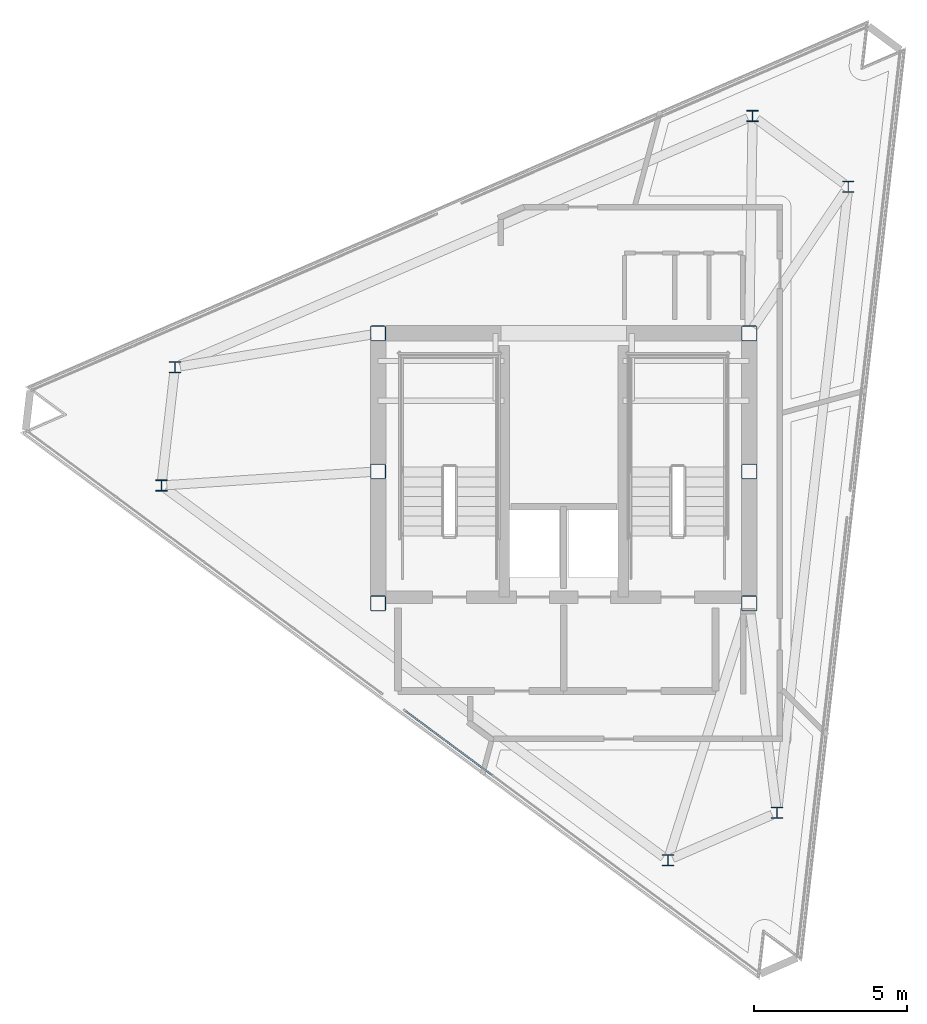
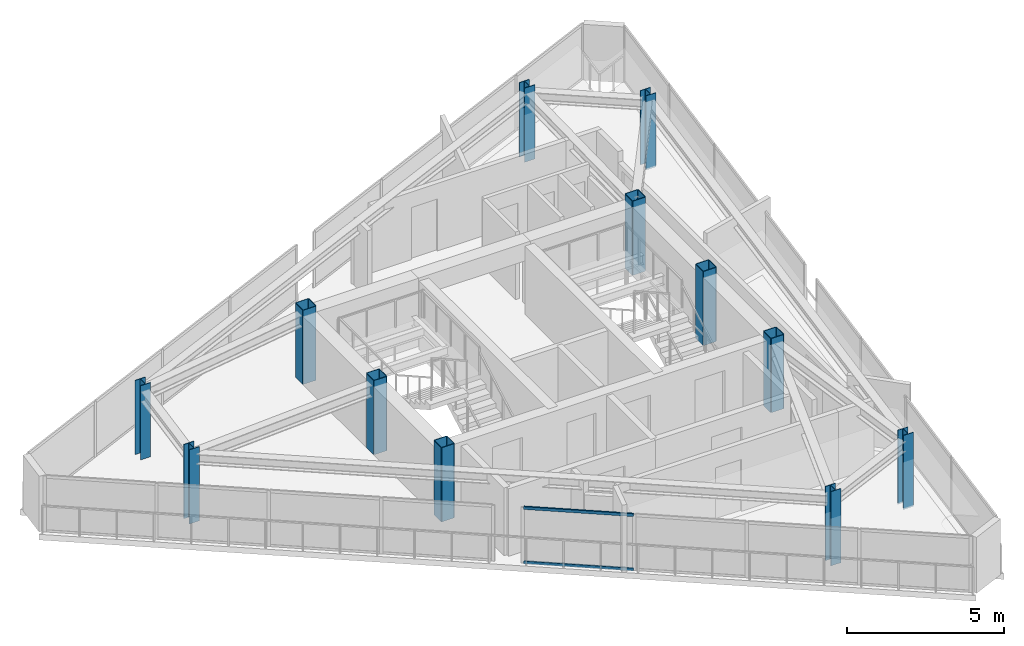
# One storey, part 1 of 9: 12 columns, 2 members, 1 element without a shape of its own.
"""IFC4 building model written with IfcOpenShell, lengths in metres."""

from ifc_helpers import new_model, si_unit, direction, frame, origin, origin_2d, place, context, subcontext, project, spatial, rectangle, hollow_rectangle, i_section, extrude, material, layer, layer_set, material_profile, profile_set, type_object, element, aggregate, save


model = new_model("IFC4")

# Units and contexts
model_context = context("Model", 3, precision=1e-05, world=origin(), true_north=direction((0.0, 1.0)))
body_context = subcontext(model_context, "Body", "Model", "MODEL_VIEW")
ifc_project = project(units=[si_unit("LENGTHUNIT", "METRE"), si_unit("AREAUNIT", "SQUARE_METRE"), si_unit("VOLUMEUNIT", "CUBIC_METRE"), si_unit("PLANEANGLEUNIT", "RADIAN"), si_unit("MASSUNIT", "GRAM", prefix="KILO")], contexts=[model_context])

# Site, building, storey
site_placement = place(None, origin())
site = spatial("IfcSite", under=ifc_project, at=site_placement, CompositionType="ELEMENT")
building_placement = place(site_placement, origin())
building = spatial("IfcBuilding", under=site, at=building_placement, Name="Rocaltana Carrier Exchange", CompositionType="ELEMENT")
storey_placement = place(building_placement, frame((0.0, 0.0, 246.239990234375)))
storey = spatial("IfcBuildingStorey", under=building, at=storey_placement, Name="L78", CompositionType="ELEMENT", Elevation=246.239990234375)

# Columns
ifc_material_1 = material(Name="Steel S460", Category="steel")
ifc_material_profile_1 = material_profile(ifc_material_1, hollow_rectangle(XDim=0.5, YDim=0.5, WallThickness=0.02001953125, InnerFilletRadius=0.02001953125, OuterFilletRadius=0.0400390625, at=origin_2d()), Name="HSS500X500X20")
ifc_profile_set_1 = profile_set([ifc_material_profile_1], Name="Steel S460")
column_type_1 = type_object("IfcColumnType", Name="Core Crown Column HSS500", PredefinedType="COLUMN", material=ifc_profile_set_1)
for number, where, z_axis, x_axis, name in (
    (1, (-6.050048828125, 4.5, 0.0), (0.0, 0.0, 1.0), (1.0, 0.0, 0.0), "L78 Core Mega-Column MC1"),
    (2, (6.050048828125, 4.5, 0.0), (0.0, 0.0, 1.0), (1.0, 0.0, 0.0), "L78 Core Mega-Column MC2"),
    (3, (-6.050048828125, 0.0, 0.0), (0.0, 0.0, 1.0), (1.0, 0.0, 0.0), "L78 Core Mega-Column MC3"),
    (4, (6.050048828125, 0.0, 0.0), (0.0, 0.0, 1.0), (1.0, 0.0, 0.0), "L78 Core Mega-Column MC4"),
    (5, (-6.050048828125, -4.300048828125, 0.0), (0.0, 0.0, 1.0), (1.0, 0.0, 0.0), "L78 Core Mega-Column MC5"),
    (6, (6.050048828125, -4.300048828125, 0.0), (0.0, 0.0, 1.0), (1.0, 0.0, 0.0), "L78 Core Mega-Column MC6"),
):
    element("IfcColumn", number, at=place(storey_placement, frame(where, z_axis=z_axis, x_axis=x_axis)), inside=storey, type_object=column_type_1, Name=name, PredefinedType="COLUMN", context=body_context, shape_type="SweptSolid", body=[
        extrude(hollow_rectangle(XDim=0.5, YDim=0.5, WallThickness=0.02001953125, InnerFilletRadius=0.02001953125, OuterFilletRadius=0.0400390625, at=origin_2d()), origin(), (0.0, 0.0, 1.0), 2.880126953125),
    ])
ifc_material_2 = material(Name="Steel S355", Category="steel")
ifc_material_profile_2 = material_profile(ifc_material_2, i_section(OverallWidth=0.37109375, OverallDepth=0.364013671875, WebThickness=0.01318359375, FlangeThickness=0.021728515625, FilletRadius=0.014892578125, at=origin_2d()), Name="W14X109")
ifc_profile_set_2 = profile_set([ifc_material_profile_2], Name="Steel S355")
column_type_2 = type_object("IfcColumnType", Name="Crown Column W14X109", PredefinedType="COLUMN", material=ifc_profile_set_2)
for number, where, z_axis, x_axis, name in (
    (7, (6.953125, -11.126708984375, 0.0), (0.0, 0.0, 1.0), (1.0, 0.0, 0.0), "L78 Crown Column CC01"),
    (8, (9.27783203125, 9.27734375, 0.0), (0.0, 0.0, 1.0), (1.0, 0.0, 0.0), "L78 Crown Column CC02"),
    (9, (6.159423828125, 11.5849609375, 0.0), (0.0, 0.0, 1.0), (1.0, 0.0, 0.0), "L78 Crown Column CC03"),
    (10, (-12.67333984375, 3.396240234375, 0.0), (0.0, 0.0, 1.0), (1.0, 0.0, 0.0), "L78 Crown Column CC04"),
    (11, (-13.112548828125, -0.458251953125, 0.0), (0.0, 0.0, 1.0), (1.0, 0.0, 0.0), "L78 Crown Column CC05"),
    (12, (3.3955078125, -12.673583984375, 0.0), (0.0, 0.0, 1.0), (1.0, 0.0, 0.0), "L78 Crown Column CC06"),
):
    element("IfcColumn", number, at=place(storey_placement, frame(where, z_axis=z_axis, x_axis=x_axis)), inside=storey, type_object=column_type_2, Name=name, PredefinedType="COLUMN", context=body_context, shape_type="SweptSolid", body=[
        extrude(i_section(OverallWidth=0.37109375, OverallDepth=0.364013671875, WebThickness=0.01318359375, FlangeThickness=0.021728515625, FilletRadius=0.014892578125, at=origin_2d()), origin(), (0.0, 0.0, 1.0), 2.880126953125),
    ])

# Curtain wall, members
ifc_material_3 = material(Name="Aluminium 6063-T6", Category="aluminium")
ifc_layer = layer(ifc_material_3, 0.110107421875)
ifc_layer_set = layer_set([ifc_layer], Name="Aluminium 6063-T6")
curtain_wall_type = type_object("IfcCurtainWallType", Name="Crown Lantern Faceted Curtain Wall CW-06", PredefinedType="NOTDEFINED", material=ifc_layer_set)
curtain_wall_placement = place(storey_placement, origin())
curtain_wall = element("IfcCurtainWall", 13, at=curtain_wall_placement, inside=storey, type_object=curtain_wall_type, Name="L78 CW-06 Run CW06-L78-F3S2", PredefinedType="NOTDEFINED")
ifc_material_4 = material(Name="Aluminium 6063-T6", Category="aluminium")
ifc_material_profile_3 = material_profile(ifc_material_4, rectangle(XDim=0.054931640625, YDim=0.110107421875, at=origin_2d()), Name="AL-55X110")
ifc_profile_set_3 = profile_set([ifc_material_profile_3], Name="Aluminium 6063-T6")
member_type = type_object("IfcMemberType", Name="CW-06 Transom AL-55X110", PredefinedType="USERDEFINED", material=ifc_profile_set_3)
member_1_placement = place(storey_placement, frame((-5.1533203125, -7.8134765625, 0.027587890625), z_axis=(0.803839907848, -0.594845696421, 0.0), x_axis=(0.594845696421, 0.803839907848, 0.0)))
member_1 = element("IfcMember", 14, at=member_1_placement, type_object=member_type, Name="CW-06 transom 1.1", ObjectType="TRANSOM", PredefinedType="USERDEFINED", context=body_context, shape_type="SweptSolid", body=[
    extrude(rectangle(XDim=0.054931640625, YDim=0.110107421875, at=origin_2d()), origin(), (0.0, 0.0, 1.0), 3.517333984375),
])
member_2_placement = place(storey_placement, frame((-5.1533203125, -7.8134765625, 2.140625), z_axis=(0.803839907848, -0.594845696421, 0.0), x_axis=(0.594845696421, 0.803839907848, 0.0)))
member_2 = element("IfcMember", 15, at=member_2_placement, type_object=member_type, Name="CW-06 transom 1.2", ObjectType="TRANSOM", PredefinedType="USERDEFINED", context=body_context, shape_type="SweptSolid", body=[
    extrude(rectangle(XDim=0.054931640625, YDim=0.110107421875, at=origin_2d()), origin(), (0.0, 0.0, 1.0), 3.517333984375),
])
aggregate(curtain_wall, [member_1, member_2])

save(model, "model.ifc")
